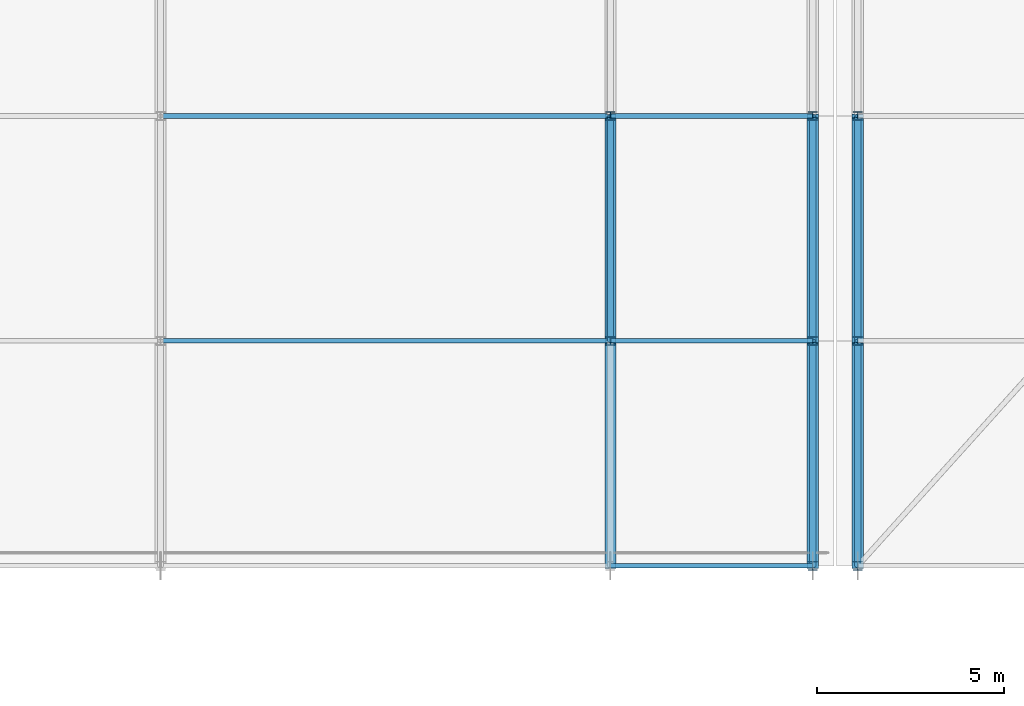
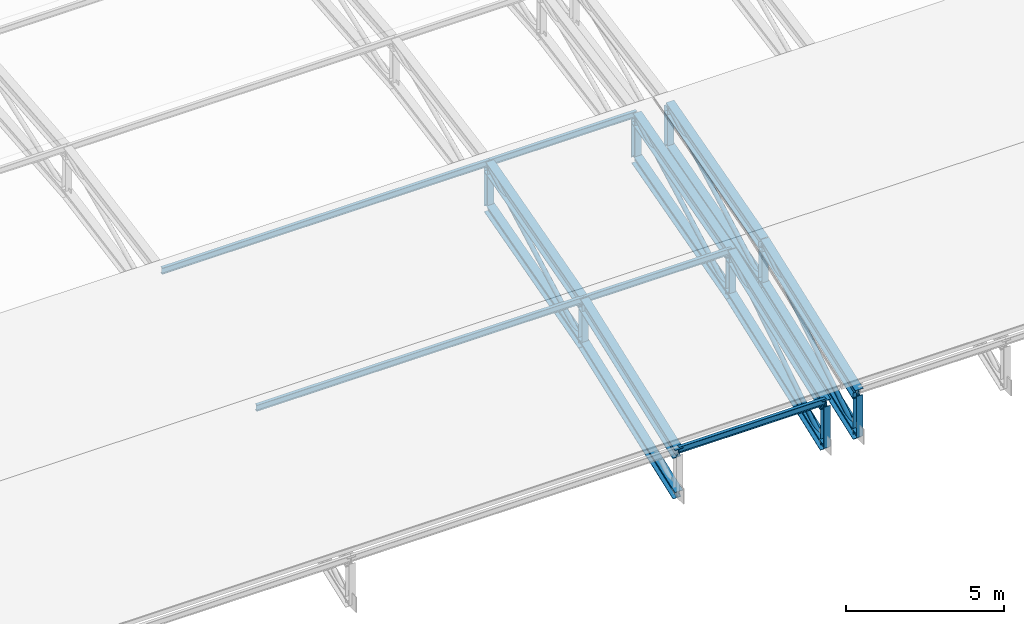
# One storey, part 29 of 204: 30 members.
"""IFC4 building model written with IfcOpenShell, lengths in metres."""

from ifc_helpers import new_model, si_unit, direction, frame, origin, origin_2d, place, context, subcontext, project, spatial, hollow_circle, i_section, extrude, material, material_profile, profile_set, type_object, element, save


model = new_model("IFC4")

# Units and contexts
model_context = context("Model", 3, precision=1e-05, world=origin(), true_north=direction((0.0, 1.0)))
body_context = subcontext(model_context, "Body", "Model", "MODEL_VIEW")
ifc_project = project(units=[si_unit("LENGTHUNIT", "METRE"), si_unit("AREAUNIT", "SQUARE_METRE"), si_unit("VOLUMEUNIT", "CUBIC_METRE"), si_unit("PLANEANGLEUNIT", "RADIAN"), si_unit("MASSUNIT", "GRAM", prefix="KILO")], contexts=[model_context])

# Site, building, storey
site_placement = place(None, origin())
site = spatial("IfcSite", under=ifc_project, at=site_placement, CompositionType="ELEMENT")
building_placement = place(site_placement, origin())
building = spatial("IfcBuilding", under=site, at=building_placement, Name="Zilviju Railside Exhibition Hall", CompositionType="ELEMENT")
storey_placement = place(building_placement, frame((0.0, 0.0, 21.0)))
storey = spatial("IfcBuildingStorey", under=building, at=storey_placement, Name="RF", CompositionType="ELEMENT", Elevation=21.0)

# Members
ifc_material = material(Name="Steel S355J2", Category="steel")
ifc_material_profile_1 = material_profile(ifc_material, hollow_circle(Radius=0.084228515625, WallThickness=0.008056640625, at=origin_2d()), Name="CHS 168.3x8.0")
ifc_profile_set_1 = profile_set([ifc_material_profile_1], Name="Steel S355J2")
member_type_1 = type_object("IfcMemberType", Name="TR-BR-CHS168", PredefinedType="BRACE", material=ifc_profile_set_1)
member_1_placement = place(storey_placement, frame((120.0, 6.0, -5.587646484375), z_axis=(0.0, 0.87872232578, 0.477333294644), x_axis=(-1.0, 0.0, 0.0)))
element("IfcMember", 1, at=member_1_placement, inside=storey, type_object=member_type_1, Name="V1 Parabolic Arch Web Diagonal X=120.0 P2", PredefinedType="BRACE", context=body_context, shape_type="SweptSolid", body=[
    extrude(hollow_circle(Radius=0.084228515625, WallThickness=0.008056640625, at=origin_2d()), origin(), (0.0, 0.0, 1.0), 6.828125),
])
member_2_placement = place(storey_placement, frame((125.39990234375, 0.0, -7.800048828125), z_axis=(0.0, 0.844023315733, 0.536306481872), x_axis=(-1.0, 0.0, 0.0)))
element("IfcMember", 2, at=member_2_placement, inside=storey, type_object=member_type_1, Name="V1 Parabolic Arch Web Diagonal X=125.4 P1", PredefinedType="BRACE", context=body_context, shape_type="SweptSolid", body=[
    extrude(hollow_circle(Radius=0.084228515625, WallThickness=0.008056640625, at=origin_2d()), origin(), (0.0, 0.0, 1.0), 7.10888671875),
])
member_3_placement = place(storey_placement, frame((125.39990234375, 6.0, -5.587646484375), z_axis=(0.0, 0.87872232578, 0.477333294644), x_axis=(-1.0, 0.0, 0.0)))
element("IfcMember", 3, at=member_3_placement, inside=storey, type_object=member_type_1, Name="V1 Parabolic Arch Web Diagonal X=125.4 P2", PredefinedType="BRACE", context=body_context, shape_type="SweptSolid", body=[
    extrude(hollow_circle(Radius=0.084228515625, WallThickness=0.008056640625, at=origin_2d()), origin(), (0.0, 0.0, 1.0), 6.828125),
])
member_4_placement = place(storey_placement, frame((126.60009765625, 0.0, -7.800048828125), z_axis=(0.0, 0.844023315733, 0.536306481872), x_axis=(-1.0, 0.0, 0.0)))
element("IfcMember", 4, at=member_4_placement, inside=storey, type_object=member_type_1, Name="V1 Parabolic Arch Web Diagonal X=126.6 P1", PredefinedType="BRACE", context=body_context, shape_type="SweptSolid", body=[
    extrude(hollow_circle(Radius=0.084228515625, WallThickness=0.008056640625, at=origin_2d()), origin(), (0.0, 0.0, 1.0), 7.10888671875),
])
member_5_placement = place(storey_placement, frame((126.60009765625, 6.0, -5.587646484375), z_axis=(0.0, 0.87872232578, 0.477333294644), x_axis=(-1.0, 0.0, 0.0)))
element("IfcMember", 5, at=member_5_placement, inside=storey, type_object=member_type_1, Name="V1 Parabolic Arch Web Diagonal X=126.6 P2", PredefinedType="BRACE", context=body_context, shape_type="SweptSolid", body=[
    extrude(hollow_circle(Radius=0.084228515625, WallThickness=0.008056640625, at=origin_2d()), origin(), (0.0, 0.0, 1.0), 6.828125),
])
ifc_material_profile_2 = material_profile(ifc_material, i_section(OverallWidth=0.300048828125, OverallDepth=0.360107421875, WebThickness=0.012451171875, FlangeThickness=0.0224609375, at=origin_2d()), Name="HEB 360")
ifc_profile_set_2 = profile_set([ifc_material_profile_2], Name="Steel S355J2")
member_type_2 = type_object("IfcMemberType", Name="TR-CH-HEB360", PredefinedType="CHORD", material=ifc_profile_set_2)
member_6_placement = place(storey_placement, frame((120.0, 0.0, -7.800048828125), z_axis=(0.0, 0.938247917098, 0.345963648468), x_axis=(-1.0, 0.0, 0.0)))
element("IfcMember", 6, at=member_6_placement, inside=storey, type_object=member_type_2, Name="V1 Parabolic Arch Bottom Chord X=120.0 P1", PredefinedType="CHORD", context=body_context, shape_type="SweptSolid", body=[
    extrude(i_section(OverallWidth=0.300048828125, OverallDepth=0.360107421875, WebThickness=0.012451171875, FlangeThickness=0.0224609375, at=origin_2d()), origin(), (0.0, 0.0, 1.0), 6.39501953125),
])
member_7_placement = place(storey_placement, frame((120.0, 6.0, -5.587646484375), z_axis=(0.0, 0.963827412659, 0.266527144223), x_axis=(-1.0, 0.0, 0.0)))
element("IfcMember", 7, at=member_7_placement, inside=storey, type_object=member_type_2, Name="V1 Parabolic Arch Bottom Chord X=120.0 P2", PredefinedType="CHORD", context=body_context, shape_type="SweptSolid", body=[
    extrude(i_section(OverallWidth=0.300048828125, OverallDepth=0.360107421875, WebThickness=0.012451171875, FlangeThickness=0.0224609375, at=origin_2d()), origin(), (0.0, 0.0, 1.0), 6.22509765625),
])
member_8_placement = place(storey_placement, frame((125.39990234375, 0.0, -7.800048828125), z_axis=(0.0, 0.938247917098, 0.345963648468), x_axis=(-1.0, 0.0, 0.0)))
element("IfcMember", 8, at=member_8_placement, inside=storey, type_object=member_type_2, Name="V1 Parabolic Arch Bottom Chord X=125.4 P1", PredefinedType="CHORD", context=body_context, shape_type="SweptSolid", body=[
    extrude(i_section(OverallWidth=0.300048828125, OverallDepth=0.360107421875, WebThickness=0.012451171875, FlangeThickness=0.0224609375, at=origin_2d()), origin(), (0.0, 0.0, 1.0), 6.39501953125),
])
member_9_placement = place(storey_placement, frame((125.39990234375, 6.0, -5.587646484375), z_axis=(0.0, 0.963827412659, 0.266527144223), x_axis=(-1.0, 0.0, 0.0)))
element("IfcMember", 9, at=member_9_placement, inside=storey, type_object=member_type_2, Name="V1 Parabolic Arch Bottom Chord X=125.4 P2", PredefinedType="CHORD", context=body_context, shape_type="SweptSolid", body=[
    extrude(i_section(OverallWidth=0.300048828125, OverallDepth=0.360107421875, WebThickness=0.012451171875, FlangeThickness=0.0224609375, at=origin_2d()), origin(), (0.0, 0.0, 1.0), 6.22509765625),
])
member_10_placement = place(storey_placement, frame((126.60009765625, 0.0, -7.800048828125), z_axis=(0.0, 0.938247917098, 0.345963648468), x_axis=(-1.0, 0.0, 0.0)))
element("IfcMember", 10, at=member_10_placement, inside=storey, type_object=member_type_2, Name="V1 Parabolic Arch Bottom Chord X=126.6 P1", PredefinedType="CHORD", context=body_context, shape_type="SweptSolid", body=[
    extrude(i_section(OverallWidth=0.300048828125, OverallDepth=0.360107421875, WebThickness=0.012451171875, FlangeThickness=0.0224609375, at=origin_2d()), origin(), (0.0, 0.0, 1.0), 6.39501953125),
])
member_11_placement = place(storey_placement, frame((126.60009765625, 6.0, -5.587646484375), z_axis=(0.0, 0.963827412659, 0.266527144223), x_axis=(-1.0, 0.0, 0.0)))
element("IfcMember", 11, at=member_11_placement, inside=storey, type_object=member_type_2, Name="V1 Parabolic Arch Bottom Chord X=126.6 P2", PredefinedType="CHORD", context=body_context, shape_type="SweptSolid", body=[
    extrude(i_section(OverallWidth=0.300048828125, OverallDepth=0.360107421875, WebThickness=0.012451171875, FlangeThickness=0.0224609375, at=origin_2d()), origin(), (0.0, 0.0, 1.0), 6.22509765625),
])
ifc_material_profile_3 = material_profile(ifc_material, i_section(OverallWidth=0.300048828125, OverallDepth=0.449951171875, WebThickness=0.013916015625, FlangeThickness=0.02587890625, at=origin_2d()), Name="HEB 450")
ifc_profile_set_3 = profile_set([ifc_material_profile_3], Name="Steel S355J2")
member_type_3 = type_object("IfcMemberType", Name="TR-CH-HEB450", PredefinedType="CHORD", material=ifc_profile_set_3)
member_12_placement = place(storey_placement, frame((120.0, 0.0, -6.199951171875), z_axis=(0.0, 0.938247917098, 0.345963648468), x_axis=(-1.0, 0.0, 0.0)))
element("IfcMember", 12, at=member_12_placement, inside=storey, type_object=member_type_3, Name="V1 Parabolic Arch Top Chord X=120.0 P1", PredefinedType="CHORD", context=body_context, shape_type="SweptSolid", body=[
    extrude(i_section(OverallWidth=0.300048828125, OverallDepth=0.449951171875, WebThickness=0.013916015625, FlangeThickness=0.02587890625, at=origin_2d()), origin(), (0.0, 0.0, 1.0), 6.39501953125),
])
member_13_placement = place(storey_placement, frame((120.0, 6.0, -3.987548828125), z_axis=(0.0, 0.963827412659, 0.266527144223), x_axis=(-1.0, 0.0, 0.0)))
element("IfcMember", 13, at=member_13_placement, inside=storey, type_object=member_type_3, Name="V1 Parabolic Arch Top Chord X=120.0 P2", PredefinedType="CHORD", context=body_context, shape_type="SweptSolid", body=[
    extrude(i_section(OverallWidth=0.300048828125, OverallDepth=0.449951171875, WebThickness=0.013916015625, FlangeThickness=0.02587890625, at=origin_2d()), origin(), (0.0, 0.0, 1.0), 6.22509765625),
])
member_14_placement = place(storey_placement, frame((125.39990234375, 0.0, -6.199951171875), z_axis=(0.0, 0.938247917098, 0.345963648468), x_axis=(-1.0, 0.0, 0.0)))
element("IfcMember", 14, at=member_14_placement, inside=storey, type_object=member_type_3, Name="V1 Parabolic Arch Top Chord X=125.4 P1", PredefinedType="CHORD", context=body_context, shape_type="SweptSolid", body=[
    extrude(i_section(OverallWidth=0.300048828125, OverallDepth=0.449951171875, WebThickness=0.013916015625, FlangeThickness=0.02587890625, at=origin_2d()), origin(), (0.0, 0.0, 1.0), 6.39501953125),
])
member_15_placement = place(storey_placement, frame((125.39990234375, 6.0, -3.987548828125), z_axis=(0.0, 0.963827412659, 0.266527144223), x_axis=(-1.0, 0.0, 0.0)))
element("IfcMember", 15, at=member_15_placement, inside=storey, type_object=member_type_3, Name="V1 Parabolic Arch Top Chord X=125.4 P2", PredefinedType="CHORD", context=body_context, shape_type="SweptSolid", body=[
    extrude(i_section(OverallWidth=0.300048828125, OverallDepth=0.449951171875, WebThickness=0.013916015625, FlangeThickness=0.02587890625, at=origin_2d()), origin(), (0.0, 0.0, 1.0), 6.22509765625),
])
member_16_placement = place(storey_placement, frame((126.60009765625, 0.0, -6.199951171875), z_axis=(0.0, 0.938247917098, 0.345963648468), x_axis=(-1.0, 0.0, 0.0)))
element("IfcMember", 16, at=member_16_placement, inside=storey, type_object=member_type_3, Name="V1 Parabolic Arch Top Chord X=126.6 P1", PredefinedType="CHORD", context=body_context, shape_type="SweptSolid", body=[
    extrude(i_section(OverallWidth=0.300048828125, OverallDepth=0.449951171875, WebThickness=0.013916015625, FlangeThickness=0.02587890625, at=origin_2d()), origin(), (0.0, 0.0, 1.0), 6.39501953125),
])
member_17_placement = place(storey_placement, frame((126.60009765625, 6.0, -3.987548828125), z_axis=(0.0, 0.963827412659, 0.266527144223), x_axis=(-1.0, 0.0, 0.0)))
element("IfcMember", 17, at=member_17_placement, inside=storey, type_object=member_type_3, Name="V1 Parabolic Arch Top Chord X=126.6 P2", PredefinedType="CHORD", context=body_context, shape_type="SweptSolid", body=[
    extrude(i_section(OverallWidth=0.300048828125, OverallDepth=0.449951171875, WebThickness=0.013916015625, FlangeThickness=0.02587890625, at=origin_2d()), origin(), (0.0, 0.0, 1.0), 6.22509765625),
])
ifc_material_profile_4 = material_profile(ifc_material, i_section(OverallWidth=0.239990234375, OverallDepth=0.22998046875, WebThickness=0.007568359375, FlangeThickness=0.011962890625, at=origin_2d()), Name="HEA 240")
ifc_profile_set_4 = profile_set([ifc_material_profile_4], Name="Steel S355J2")
member_type_4 = type_object("IfcMemberType", Name="TR-POST-HEA240", PredefinedType="POST", material=ifc_profile_set_4)
for number, where, z_axis, x_axis, name in (
    (18, (120.0, 6.0, -5.587646484375), (0.0, 0.0, 1.0), (1.0, 0.0, 0.0), "V1 Parabolic Arch Web Post X=120.0 N1"),
    (19, (120.0, 12.0, -3.928466796875), (0.0, 0.0, 1.0), (1.0, 0.0, 0.0), "V1 Parabolic Arch Web Post X=120.0 N2"),
    (20, (125.39990234375, 0.0, -7.800048828125), (0.0, 0.0, 1.0), (1.0, 0.0, 0.0), "V1 Parabolic Arch Web Post X=125.4 N0"),
    (21, (125.39990234375, 6.0, -5.587646484375), (0.0, 0.0, 1.0), (1.0, 0.0, 0.0), "V1 Parabolic Arch Web Post X=125.4 N1"),
    (22, (125.39990234375, 12.0, -3.928466796875), (0.0, 0.0, 1.0), (1.0, 0.0, 0.0), "V1 Parabolic Arch Web Post X=125.4 N2"),
    (23, (126.60009765625, 0.0, -7.800048828125), (0.0, 0.0, 1.0), (1.0, 0.0, 0.0), "V1 Parabolic Arch Web Post X=126.6 N0"),
    (24, (126.60009765625, 6.0, -5.587646484375), (0.0, 0.0, 1.0), (1.0, 0.0, 0.0), "V1 Parabolic Arch Web Post X=126.6 N1"),
    (25, (126.60009765625, 12.0, -3.928466796875), (0.0, 0.0, 1.0), (1.0, 0.0, 0.0), "V1 Parabolic Arch Web Post X=126.6 N2"),
):
    element("IfcMember", number, at=place(storey_placement, frame(where, z_axis=z_axis, x_axis=x_axis)), inside=storey, type_object=member_type_4, Name=name, PredefinedType="POST", context=body_context, shape_type="SweptSolid", body=[
        extrude(i_section(OverallWidth=0.239990234375, OverallDepth=0.22998046875, WebThickness=0.007568359375, FlangeThickness=0.011962890625, at=origin_2d()), origin(), (0.0, 0.0, 1.0), 1.60009765625),
    ])
ifc_material_profile_5 = material_profile(ifc_material, i_section(OverallWidth=0.1201171875, OverallDepth=0.239990234375, WebThickness=0.006103515625, FlangeThickness=0.009765625, at=origin_2d()), Name="IPE 240")
ifc_profile_set_5 = profile_set([ifc_material_profile_5], Name="Steel S355J2")
member_type_5 = type_object("IfcMemberType", Name="TR-PUR-IPE240", PredefinedType="PURLIN", material=ifc_profile_set_5)
for number, where, z_axis, x_axis, name in (
    (26, (108.0, 6.0, -3.864990234375), (1.0, 0.0, 0.0), (0.0, 1.0, 0.0), "V1 Barrel Vault Roof Purlin Y=6.0 (108.0..120.0)"),
    (27, (108.0, 12.0, -2.193603515625), (1.0, 0.0, 0.0), (0.0, 1.0, 0.0), "V1 Barrel Vault Roof Purlin Y=12.0 (108.0..120.0)"),
):
    element("IfcMember", number, at=place(storey_placement, frame(where, z_axis=z_axis, x_axis=x_axis)), inside=storey, type_object=member_type_5, Name=name, PredefinedType="PURLIN", context=body_context, shape_type="SweptSolid", body=[
        extrude(i_section(OverallWidth=0.1201171875, OverallDepth=0.239990234375, WebThickness=0.006103515625, FlangeThickness=0.009765625, at=origin_2d()), origin(), (0.0, 0.0, 1.0), 12.0),
    ])
for number, where, z_axis, x_axis, name in (
    (28, (120.0, 0.0, -6.05517578125), (1.0, 0.0, 0.0), (0.0, 1.0, 0.0), "V1 Barrel Vault Roof Purlin Y=0.0 (120.0..125.4)"),
    (29, (120.0, 6.0, -3.864990234375), (1.0, 0.0, 0.0), (0.0, 1.0, 0.0), "V1 Barrel Vault Roof Purlin Y=6.0 (120.0..125.4)"),
    (30, (120.0, 12.0, -2.193603515625), (1.0, 0.0, 0.0), (0.0, 1.0, 0.0), "V1 Barrel Vault Roof Purlin Y=12.0 (120.0..125.4)"),
):
    element("IfcMember", number, at=place(storey_placement, frame(where, z_axis=z_axis, x_axis=x_axis)), inside=storey, type_object=member_type_5, Name=name, PredefinedType="PURLIN", context=body_context, shape_type="SweptSolid", body=[
        extrude(i_section(OverallWidth=0.1201171875, OverallDepth=0.239990234375, WebThickness=0.006103515625, FlangeThickness=0.009765625, at=origin_2d()), origin(), (0.0, 0.0, 1.0), 5.39990234375),
    ])

save(model, "model.ifc")
